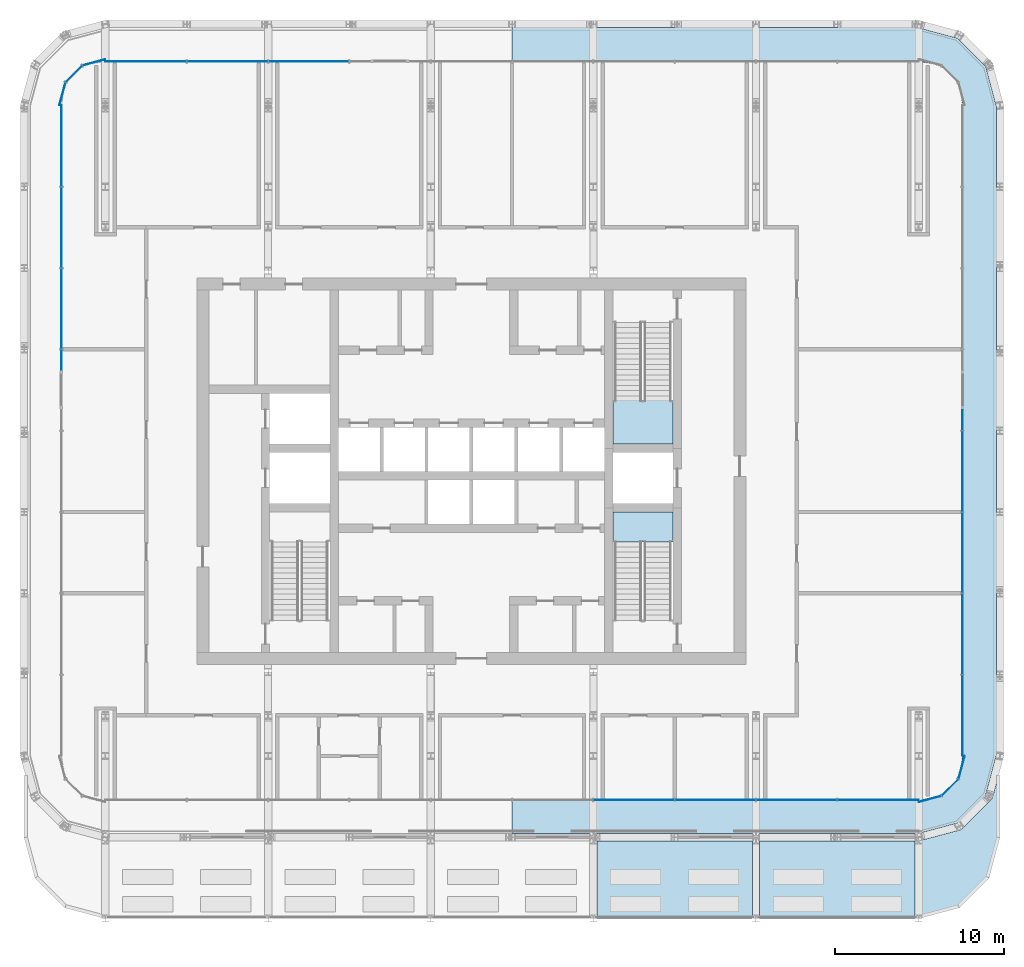
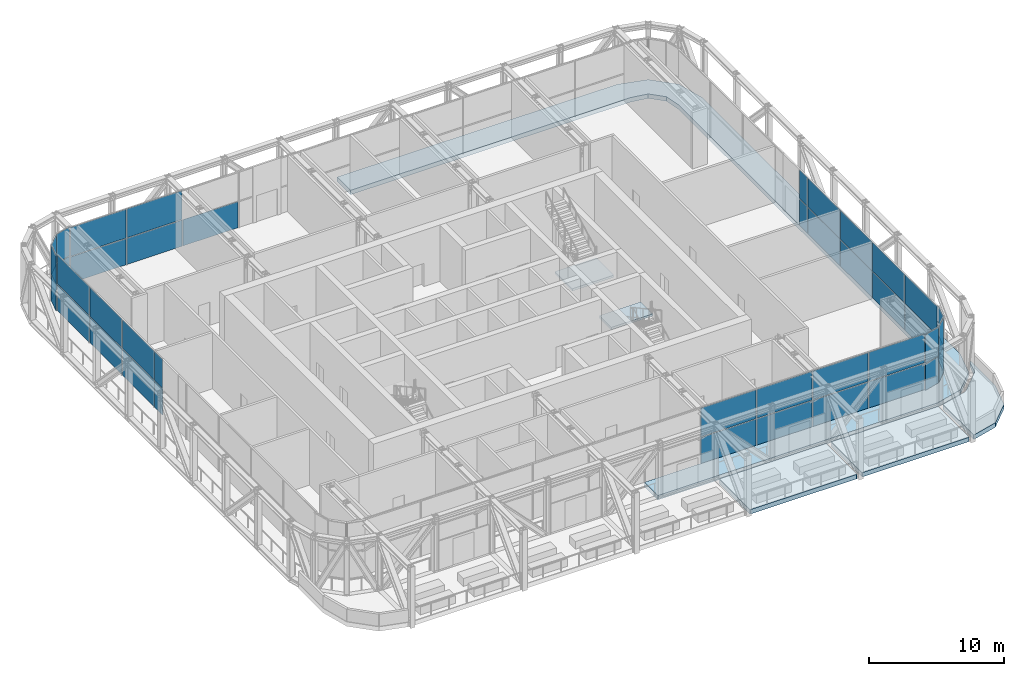
# One storey, part 12 of 22: 43 plates, 6 slabs, 8 elements without a shape of their own.
"""IFC4 building model written with IfcOpenShell, lengths in metres."""

import ifcopenshell
import ifcopenshell.guid

model = None  # the IFC model being written
_history = None  # IfcOwnerHistory: only IFC2X3 demands one
_inside = {}  # id of a spatial element -> (the spatial element, [elements in it])
_under = {}  # id of a project, library or spatial element -> (it, [spatial elements below it])
_declared = {}  # id of a project -> (the project, [libraries it declares])
_typed = {}  # id of a type object -> (the type object, [elements of that type])
_made_of = {}  # id of a material, layer set ... -> (it, [elements and type objects made of it])


def new_model(schema):
    """Start an empty IFC model of exactly this schema.

    Asked for "IFC4X3", IfcOpenShell would pick the latest addendum, in which some entities
    have other attributes; the version numbers below select the first issue.
    IFC2X3 requires an IfcOwnerHistory on every rooted entity: one is made here for all.
    """
    global model, _history
    if schema == "IFC4X3":
        model = ifcopenshell.file(schema_version=(4, 3, 0, 0))
    else:
        model = ifcopenshell.file(schema=schema)
    _inside.clear()
    _under.clear()
    _declared.clear()
    _typed.clear()
    _made_of.clear()
    _history = None
    if model.schema == "IFC2X3":
        org = make("IfcOrganization", Name="unknown")
        user = make(
            "IfcPersonAndOrganization",
            ThePerson=make("IfcPerson", FamilyName="unknown"),
            TheOrganization=org,
        )
        app = make(
            "IfcApplication",
            ApplicationDeveloper=org,
            Version="unknown",
            ApplicationFullName="unknown",
            ApplicationIdentifier="unknown",
        )
        _history = make(
            "IfcOwnerHistory",
            OwningUser=user,
            OwningApplication=app,
            ChangeAction="ADDED",
            CreationDate=0,
        )
    return model


def make(cls, **values):
    """One entity of the class cls with the attributes given. An attribute that is None is left unset."""
    return model.create_entity(
        cls, **{name: value for name, value in values.items() if value is not None}
    )


def rooted(cls, **values):
    """An entity with a GlobalId (a new one), such as an element, a storey or a relation."""
    return make(cls, GlobalId=ifcopenshell.guid.new(), OwnerHistory=_history, **values)


def si_unit(unit_type, name, prefix=None):
    """IfcSIUnit, for example si_unit("LENGTHUNIT", "METRE", prefix="MILLI")."""
    return make("IfcSIUnit", UnitType=unit_type, Prefix=prefix, Name=name)


def assignment(units):
    """IfcUnitAssignment: the units of a project."""
    return None if units is None else make("IfcUnitAssignment", Units=units)


def point(xyz):
    """IfcCartesianPoint."""
    return None if xyz is None else make("IfcCartesianPoint", Coordinates=xyz)


def direction(xyz):
    """IfcDirection."""
    return None if xyz is None else make("IfcDirection", DirectionRatios=xyz)


def frame(location, z_axis=None, x_axis=None):
    """IfcAxis2Placement3D, a coordinate frame: its origin and axes. An axis left out is left unset."""
    return make(
        "IfcAxis2Placement3D",
        Location=point(location),
        Axis=direction(z_axis),
        RefDirection=direction(x_axis),
    )


def frame_2d(location, x_axis=None):
    """IfcAxis2Placement2D, a coordinate frame in the plane: its origin and x axis."""
    return make(
        "IfcAxis2Placement2D", Location=point(location), RefDirection=direction(x_axis)
    )


def origin():
    """The frame at (0, 0, 0) with its axes left unset."""
    return frame((0.0, 0.0, 0.0))


def origin_2d():
    """The frame at (0, 0) in the plane with its x axis left unset."""
    return frame_2d((0.0, 0.0))


def place(relative_to, where):
    """IfcLocalPlacement: puts the frame where relative to a parent placement (None: the world)."""
    return make(
        "IfcLocalPlacement", PlacementRelTo=relative_to, RelativePlacement=where
    )


def context(
    kind, dimensions, precision=None, world=None, true_north=None, identifier=None
):
    """IfcGeometricRepresentationContext, for example the 3D "Model" context."""
    return make(
        "IfcGeometricRepresentationContext",
        ContextIdentifier=identifier,
        ContextType=kind,
        CoordinateSpaceDimension=dimensions,
        Precision=precision,
        WorldCoordinateSystem=world,
        TrueNorth=true_north,
    )


def subcontext(parent, identifier, kind, view, scale=None):
    """IfcGeometricRepresentationSubContext, for example "Body" below "Model"."""
    return make(
        "IfcGeometricRepresentationSubContext",
        ContextIdentifier=identifier,
        ContextType=kind,
        ParentContext=parent,
        TargetScale=scale,
        TargetView=view,
    )


def project(units=None, contexts=None):
    """IfcProject with its units and contexts."""
    return rooted(
        "IfcProject",
        Name="project",
        RepresentationContexts=contexts,
        UnitsInContext=assignment(units),
    )


def spatial(cls, under=None, at=None, **own):
    """A site, building, storey or space (cls), placed at a placement, below another one or the project."""
    s = rooted(cls, ObjectPlacement=at, **own)
    if under is not None:
        _under.setdefault(under.id(), (under, []))[1].append(s)
    return s


def polyline(points):
    """IfcPolyline through the points."""
    return make("IfcPolyline", Points=[point(p) for p in points])


def profile(cls, at=None, kind="AREA", **sizes):
    """A parametric profile (cls). Its sizes go by their IFC names, for example OverallWidth=200.0."""
    return make(cls, ProfileType=kind, Position=at, **sizes)


def rectangle(**sizes):
    """IfcRectangleProfileDef."""
    return profile("IfcRectangleProfileDef", **sizes)


def outline(outer, holes=None, kind="AREA"):
    """IfcArbitraryClosedProfileDef: a profile drawn as a closed curve; with holes, ...WithVoids."""
    if holes is None:
        return make("IfcArbitraryClosedProfileDef", ProfileType=kind, OuterCurve=outer)
    return make(
        "IfcArbitraryProfileDefWithVoids",
        ProfileType=kind,
        OuterCurve=outer,
        InnerCurves=holes,
    )


def extrude(swept, where, along, depth):
    """IfcExtrudedAreaSolid: the profile swept, set in the frame where, extruded along a direction by depth."""
    return make(
        "IfcExtrudedAreaSolid",
        SweptArea=swept,
        Position=where,
        ExtrudedDirection=direction(along),
        Depth=depth,
    )


def shape(context_of_items, identifier, shape_type, items):
    """IfcShapeRepresentation: the items that make up one representation, for example the "Body"."""
    return make(
        "IfcShapeRepresentation",
        ContextOfItems=context_of_items,
        RepresentationIdentifier=identifier,
        RepresentationType=shape_type,
        Items=items,
    )


def material(Name=None, Category=None):
    """IfcMaterial."""
    return make("IfcMaterial", Name=Name, Category=Category)


def layer(
    of_material, thickness, ventilated=None, Name=None, Category=None, Priority=None
):
    """IfcMaterialLayer: one layer of a wall or slab, of a material (None: an air gap)."""
    return make(
        "IfcMaterialLayer",
        Material=of_material,
        LayerThickness=thickness,
        IsVentilated=ventilated,
        Name=Name,
        Category=Category,
        Priority=Priority,
    )


def layer_set(layers, Name=None):
    """IfcMaterialLayerSet."""
    return make("IfcMaterialLayerSet", MaterialLayers=layers, LayerSetName=Name)


def made_of(thing, what):
    """Note that an element or type object is made of a material, layer set ...; save() writes the relation."""
    if what is not None:
        _made_of.setdefault(what.id(), (what, []))[1].append(thing)
    return thing


def type_object(cls, material=None, **own):
    """A type object (cls), such as IfcWallType, which elements share."""
    return made_of(rooted(cls, **own), material)


def element(
    cls,
    number,
    at=None,
    inside=None,
    cuts=None,
    type_object=None,
    material=None,
    context=None,
    identifier="Body",
    shape_type=None,
    held_by="IfcProductDefinitionShape",
    body=None,
    shapes=None,
    **own,
):
    """One element of the class cls, such as IfcWall. Its Tag is "e" and its number.

    at: its placement. inside: the storey or other place that contains it. cuts: it is an
    opening in that element (IfcRelVoidsElement). A single representation is given by context,
    identifier, shape_type and body (its items); several are given by shapes. held_by: the class
    of the entity that holds the representations. save() writes the other relations.
    """
    e = rooted(cls, Tag="e%d" % number, ObjectPlacement=at, **own)
    if body is not None:
        shapes = [shape(context, identifier, shape_type, body)]
    if shapes is not None:
        e.Representation = make(held_by, Representations=shapes)
    if inside is not None:
        _inside.setdefault(inside.id(), (inside, []))[1].append(e)
    if cuts is not None:
        rooted(
            "IfcRelVoidsElement", RelatingBuildingElement=cuts, RelatedOpeningElement=e
        )
    if type_object is not None:
        _typed.setdefault(type_object.id(), (type_object, []))[1].append(e)
    return made_of(e, material)


def aggregate(whole, parts):
    """IfcRelAggregates: a whole, such as a stair, and the parts it consists of."""
    return rooted("IfcRelAggregates", RelatingObject=whole, RelatedObjects=parts)


def save(model, path):
    """Write the relations noted so far, then the file.

    IfcRelAggregates (storeys below a building ...), IfcRelContainedInSpatialStructure (elements
    in a storey), IfcRelDefinesByType, IfcRelAssociatesMaterial and IfcRelDeclares: one each for
    every whole, place, type object, material and project.
    """
    for whole, parts in _under.values():
        aggregate(whole, parts)
    for where, things in _inside.values():
        rooted(
            "IfcRelContainedInSpatialStructure",
            RelatedElements=things,
            RelatingStructure=where,
        )
    for kind, things in _typed.values():
        rooted("IfcRelDefinesByType", RelatedObjects=things, RelatingType=kind)
    for what, things in _made_of.values():
        rooted("IfcRelAssociatesMaterial", RelatedObjects=things, RelatingMaterial=what)
    for by, libraries in _declared.values():
        rooted("IfcRelDeclares", RelatingContext=by, RelatedDefinitions=libraries)
    model.write(path)


model = new_model("IFC4")

# Units and contexts
model_context = context("Model", 3, precision=1e-05, world=origin(), true_north=direction((0.0, 1.0)))
body_context = subcontext(model_context, "Body", "Model", "MODEL_VIEW")
ifc_project = project(units=[si_unit("LENGTHUNIT", "METRE"), si_unit("AREAUNIT", "SQUARE_METRE"), si_unit("VOLUMEUNIT", "CUBIC_METRE"), si_unit("PLANEANGLEUNIT", "RADIAN"), si_unit("MASSUNIT", "GRAM", prefix="KILO")], contexts=[model_context])

# Site, building, storey
site_placement = place(None, origin())
site = spatial("IfcSite", under=ifc_project, at=site_placement, CompositionType="ELEMENT")
building_placement = place(site_placement, origin())
building = spatial("IfcBuilding", under=site, at=building_placement, Name="Madar Terraces", CompositionType="ELEMENT")
storey_placement = place(building_placement, frame((0.0, 0.0, 203.39990234375)))
storey = spatial("IfcBuildingStorey", under=building, at=storey_placement, Name="L53", CompositionType="ELEMENT", Elevation=203.39990234375)

# Curtain wall, plates
ifc_material_1 = material(Name="Glass, ceramic frit dark grey, with black aluminium frame", Category="aluminium")
ifc_layer_1 = layer(ifc_material_1, 0.199951171875)
ifc_layer_set_1 = layer_set([ifc_layer_1], Name="Facade curtain wall, tall glazing")
curtain_wall_type = type_object("IfcCurtainWallType", Name="Facade curtain wall, tall glazing", PredefinedType="NOTDEFINED", material=ifc_layer_set_1)
curtain_wall_1_placement = place(storey_placement, origin())
curtain_wall_1 = element("IfcCurtainWall", 1, at=curtain_wall_1_placement, inside=storey, type_object=curtain_wall_type, Name="Outer skin curtain wall south bay 1", PredefinedType="NOTDEFINED")
ifc_material_2 = material(Name="Glass, ceramic frit dark grey", Category="glass")
ifc_layer_2 = layer(ifc_material_2, 0.028076171875)
ifc_layer_set_2 = layer_set([ifc_layer_2], Name="Facade glass panel 28")
plate_type = type_object("IfcPlateType", Name="Facade glass panel 28", PredefinedType="CURTAIN_PANEL", material=ifc_layer_set_2)
plate_1_placement = place(storey_placement, frame((40.800048828125, 7.0, 0.0), z_axis=(0.0, 0.0, 1.0), x_axis=(1.0, 0.0, 0.0)))
plate_1 = element("IfcPlate", 2, at=plate_1_placement, type_object=plate_type, Name="Panel 13", PredefinedType="CURTAIN_PANEL", context=body_context, shape_type="SweptSolid", body=[
    extrude(rectangle(XDim=4.739990234375, YDim=0.028076171875, at=origin_2d()), origin(), (0.0, 0.0, 1.0), 2.3701171875),
])
plate_2_placement = place(storey_placement, frame((40.800048828125, 7.0, 2.43017578125), z_axis=(0.0, 0.0, 1.0), x_axis=(1.0, 0.0, 0.0)))
plate_2 = element("IfcPlate", 3, at=plate_2_placement, type_object=plate_type, Name="Panel 14", PredefinedType="CURTAIN_PANEL", context=body_context, shape_type="SweptSolid", body=[
    extrude(rectangle(XDim=4.739990234375, YDim=0.028076171875, at=origin_2d()), origin(), (0.0, 0.0, 1.0), 2.610107421875),
])
plate_3_placement = place(storey_placement, frame((45.60009765625, 7.0, 0.0), z_axis=(0.0, 0.0, 1.0), x_axis=(1.0, 0.0, 0.0)))
plate_3 = element("IfcPlate", 4, at=plate_3_placement, type_object=plate_type, Name="Panel 15", PredefinedType="CURTAIN_PANEL", context=body_context, shape_type="SweptSolid", body=[
    extrude(rectangle(XDim=4.739990234375, YDim=0.028076171875, at=origin_2d()), origin(), (0.0, 0.0, 1.0), 2.3701171875),
])
plate_4_placement = place(storey_placement, frame((45.60009765625, 7.0, 2.43017578125), z_axis=(0.0, 0.0, 1.0), x_axis=(1.0, 0.0, 0.0)))
plate_4 = element("IfcPlate", 5, at=plate_4_placement, type_object=plate_type, Name="Panel 16", PredefinedType="CURTAIN_PANEL", context=body_context, shape_type="SweptSolid", body=[
    extrude(rectangle(XDim=4.739990234375, YDim=0.028076171875, at=origin_2d()), origin(), (0.0, 0.0, 1.0), 2.610107421875),
])
plate_5_placement = place(storey_placement, frame((50.39990234375, 7.0, 0.0), z_axis=(0.0, 0.0, 1.0), x_axis=(1.0, 0.0, 0.0)))
plate_5 = element("IfcPlate", 6, at=plate_5_placement, type_object=plate_type, Name="Panel 17", PredefinedType="CURTAIN_PANEL", context=body_context, shape_type="SweptSolid", body=[
    extrude(rectangle(XDim=4.739990234375, YDim=0.028076171875, at=origin_2d()), origin(), (0.0, 0.0, 1.0), 2.3701171875),
])
plate_6_placement = place(storey_placement, frame((50.39990234375, 7.0, 2.43017578125), z_axis=(0.0, 0.0, 1.0), x_axis=(1.0, 0.0, 0.0)))
plate_6 = element("IfcPlate", 7, at=plate_6_placement, type_object=plate_type, Name="Panel 18", PredefinedType="CURTAIN_PANEL", context=body_context, shape_type="SweptSolid", body=[
    extrude(rectangle(XDim=4.739990234375, YDim=0.028076171875, at=origin_2d()), origin(), (0.0, 0.0, 1.0), 2.610107421875),
])
plate_7_placement = place(storey_placement, frame((55.215087890625, 7.0, 0.0), z_axis=(0.0, 0.0, 1.0), x_axis=(1.0, 0.0, 0.0)))
plate_7 = element("IfcPlate", 8, at=plate_7_placement, type_object=plate_type, Name="Panel 19", PredefinedType="CURTAIN_PANEL", context=body_context, shape_type="SweptSolid", body=[
    extrude(rectangle(XDim=4.77001953125, YDim=0.028076171875, at=origin_2d()), origin(), (0.0, 0.0, 1.0), 2.3701171875),
])
plate_8_placement = place(storey_placement, frame((55.215087890625, 7.0, 2.43017578125), z_axis=(0.0, 0.0, 1.0), x_axis=(1.0, 0.0, 0.0)))
plate_8 = element("IfcPlate", 9, at=plate_8_placement, type_object=plate_type, Name="Panel 20", PredefinedType="CURTAIN_PANEL", context=body_context, shape_type="SweptSolid", body=[
    extrude(rectangle(XDim=4.77001953125, YDim=0.028076171875, at=origin_2d()), origin(), (0.0, 0.0, 1.0), 2.610107421875),
])
aggregate(curtain_wall_1, [plate_1, plate_2, plate_3, plate_4, plate_5, plate_6, plate_7, plate_8])

curtain_wall_2_placement = place(storey_placement, origin())
curtain_wall_2 = element("IfcCurtainWall", 10, at=curtain_wall_2_placement, inside=storey, type_object=curtain_wall_type, Name="Outer skin curtain wall east bay 1", PredefinedType="NOTDEFINED")
plate_9_placement = place(storey_placement, frame((60.199951171875, 11.985107421875, 0.0), z_axis=(0.0, 0.0, 1.0), x_axis=(0.0, 1.0, 0.0)))
plate_9 = element("IfcPlate", 11, at=plate_9_placement, type_object=plate_type, Name="Panel 1", PredefinedType="CURTAIN_PANEL", context=body_context, shape_type="SweptSolid", body=[
    extrude(rectangle(XDim=4.77001953125, YDim=0.028076171875, at=origin_2d()), origin(), (0.0, 0.0, 1.0), 2.3701171875),
])
plate_10_placement = place(storey_placement, frame((60.199951171875, 11.985107421875, 2.43017578125), z_axis=(0.0, 0.0, 1.0), x_axis=(0.0, 1.0, 0.0)))
plate_10 = element("IfcPlate", 12, at=plate_10_placement, type_object=plate_type, Name="Panel 2", PredefinedType="CURTAIN_PANEL", context=body_context, shape_type="SweptSolid", body=[
    extrude(rectangle(XDim=4.77001953125, YDim=0.028076171875, at=origin_2d()), origin(), (0.0, 0.0, 1.0), 2.610107421875),
])
plate_11_placement = place(storey_placement, frame((60.199951171875, 16.800048828125, 0.0), z_axis=(0.0, 0.0, 1.0), x_axis=(0.0, 1.0, 0.0)))
plate_11 = element("IfcPlate", 13, at=plate_11_placement, type_object=plate_type, Name="Panel 3", PredefinedType="CURTAIN_PANEL", context=body_context, shape_type="SweptSolid", body=[
    extrude(rectangle(XDim=4.739990234375, YDim=0.028076171875, at=origin_2d()), origin(), (0.0, 0.0, 1.0), 2.3701171875),
])
plate_12_placement = place(storey_placement, frame((60.199951171875, 16.800048828125, 2.43017578125), z_axis=(0.0, 0.0, 1.0), x_axis=(0.0, 1.0, 0.0)))
plate_12 = element("IfcPlate", 14, at=plate_12_placement, type_object=plate_type, Name="Panel 4", PredefinedType="CURTAIN_PANEL", context=body_context, shape_type="SweptSolid", body=[
    extrude(rectangle(XDim=4.739990234375, YDim=0.028076171875, at=origin_2d()), origin(), (0.0, 0.0, 1.0), 2.610107421875),
])
plate_13_placement = place(storey_placement, frame((60.199951171875, 21.60009765625, 0.0), z_axis=(0.0, 0.0, 1.0), x_axis=(0.0, 1.0, 0.0)))
plate_13 = element("IfcPlate", 15, at=plate_13_placement, type_object=plate_type, Name="Panel 5", PredefinedType="CURTAIN_PANEL", context=body_context, shape_type="SweptSolid", body=[
    extrude(rectangle(XDim=4.739990234375, YDim=0.028076171875, at=origin_2d()), origin(), (0.0, 0.0, 1.0), 2.3701171875),
])
plate_14_placement = place(storey_placement, frame((60.199951171875, 21.60009765625, 2.43017578125), z_axis=(0.0, 0.0, 1.0), x_axis=(0.0, 1.0, 0.0)))
plate_14 = element("IfcPlate", 16, at=plate_14_placement, type_object=plate_type, Name="Panel 6", PredefinedType="CURTAIN_PANEL", context=body_context, shape_type="SweptSolid", body=[
    extrude(rectangle(XDim=4.739990234375, YDim=0.028076171875, at=origin_2d()), origin(), (0.0, 0.0, 1.0), 2.610107421875),
])
plate_15_placement = place(storey_placement, frame((60.199951171875, 26.39990234375, 0.0), z_axis=(0.0, 0.0, 1.0), x_axis=(0.0, 1.0, 0.0)))
plate_15 = element("IfcPlate", 17, at=plate_15_placement, type_object=plate_type, Name="Panel 7", PredefinedType="CURTAIN_PANEL", context=body_context, shape_type="SweptSolid", body=[
    extrude(rectangle(XDim=4.739990234375, YDim=0.028076171875, at=origin_2d()), origin(), (0.0, 0.0, 1.0), 2.3701171875),
])
plate_16_placement = place(storey_placement, frame((60.199951171875, 26.39990234375, 2.43017578125), z_axis=(0.0, 0.0, 1.0), x_axis=(0.0, 1.0, 0.0)))
plate_16 = element("IfcPlate", 18, at=plate_16_placement, type_object=plate_type, Name="Panel 8", PredefinedType="CURTAIN_PANEL", context=body_context, shape_type="SweptSolid", body=[
    extrude(rectangle(XDim=4.739990234375, YDim=0.028076171875, at=origin_2d()), origin(), (0.0, 0.0, 1.0), 2.610107421875),
])
plate_17_placement = place(storey_placement, frame((60.199951171875, 29.4150390625, 0.0), z_axis=(0.0, 0.0, 1.0), x_axis=(0.0, 1.0, 0.0)))
plate_17 = element("IfcPlate", 19, at=plate_17_placement, type_object=plate_type, Name="Panel 9", PredefinedType="CURTAIN_PANEL", context=body_context, shape_type="SweptSolid", body=[
    extrude(rectangle(XDim=1.169921875, YDim=0.028076171875, at=origin_2d()), origin(), (0.0, 0.0, 1.0), 2.3701171875),
])
plate_18_placement = place(storey_placement, frame((60.199951171875, 29.4150390625, 2.43017578125), z_axis=(0.0, 0.0, 1.0), x_axis=(0.0, 1.0, 0.0)))
plate_18 = element("IfcPlate", 20, at=plate_18_placement, type_object=plate_type, Name="Panel 10", PredefinedType="CURTAIN_PANEL", context=body_context, shape_type="SweptSolid", body=[
    extrude(rectangle(XDim=1.169921875, YDim=0.028076171875, at=origin_2d()), origin(), (0.0, 0.0, 1.0), 2.610107421875),
])
aggregate(curtain_wall_2, [plate_9, plate_10, plate_11, plate_12, plate_13, plate_14, plate_15, plate_16, plate_17, plate_18])

curtain_wall_3_placement = place(storey_placement, origin())
curtain_wall_3 = element("IfcCurtainWall", 21, at=curtain_wall_3_placement, inside=storey, type_object=curtain_wall_type, Name="Outer skin curtain wall north bay 1", PredefinedType="NOTDEFINED")
plate_19_placement = place(storey_placement, frame((21.60009765625, 50.60009765625, 0.0), z_axis=(0.0, 0.0, 1.0), x_axis=(-1.0, 0.0, 0.0)))
plate_19 = element("IfcPlate", 22, at=plate_19_placement, type_object=plate_type, Name="Panel 17", PredefinedType="CURTAIN_PANEL", context=body_context, shape_type="SweptSolid", body=[
    extrude(rectangle(XDim=4.739990234375, YDim=0.028076171875, at=origin_2d()), origin(), (0.0, 0.0, 1.0), 2.3701171875),
])
plate_20_placement = place(storey_placement, frame((16.800048828125, 50.60009765625, 0.0), z_axis=(0.0, 0.0, 1.0), x_axis=(-1.0, 0.0, 0.0)))
plate_20 = element("IfcPlate", 23, at=plate_20_placement, type_object=plate_type, Name="Panel 19", PredefinedType="CURTAIN_PANEL", context=body_context, shape_type="SweptSolid", body=[
    extrude(rectangle(XDim=4.739990234375, YDim=0.028076171875, at=origin_2d()), origin(), (0.0, 0.0, 1.0), 2.3701171875),
])
plate_21_placement = place(storey_placement, frame((16.800048828125, 50.60009765625, 2.43017578125), z_axis=(0.0, 0.0, 1.0), x_axis=(-1.0, 0.0, 0.0)))
plate_21 = element("IfcPlate", 24, at=plate_21_placement, type_object=plate_type, Name="Panel 20", PredefinedType="CURTAIN_PANEL", context=body_context, shape_type="SweptSolid", body=[
    extrude(rectangle(XDim=4.739990234375, YDim=0.028076171875, at=origin_2d()), origin(), (0.0, 0.0, 1.0), 2.610107421875),
])
plate_22_placement = place(storey_placement, frame((11.985107421875, 50.60009765625, 0.0), z_axis=(0.0, 0.0, 1.0), x_axis=(-1.0, 0.0, 0.0)))
plate_22 = element("IfcPlate", 25, at=plate_22_placement, type_object=plate_type, Name="Panel 21", PredefinedType="CURTAIN_PANEL", context=body_context, shape_type="SweptSolid", body=[
    extrude(rectangle(XDim=4.77001953125, YDim=0.028076171875, at=origin_2d()), origin(), (0.0, 0.0, 1.0), 2.3701171875),
])
plate_23_placement = place(storey_placement, frame((11.985107421875, 50.60009765625, 2.43017578125), z_axis=(0.0, 0.0, 1.0), x_axis=(-1.0, 0.0, 0.0)))
plate_23 = element("IfcPlate", 26, at=plate_23_placement, type_object=plate_type, Name="Panel 22", PredefinedType="CURTAIN_PANEL", context=body_context, shape_type="SweptSolid", body=[
    extrude(rectangle(XDim=4.77001953125, YDim=0.028076171875, at=origin_2d()), origin(), (0.0, 0.0, 1.0), 2.610107421875),
])
aggregate(curtain_wall_3, [plate_19, plate_20, plate_21, plate_22, plate_23])

curtain_wall_4_placement = place(storey_placement, origin())
curtain_wall_4 = element("IfcCurtainWall", 27, at=curtain_wall_4_placement, inside=storey, type_object=curtain_wall_type, Name="Outer skin curtain wall west bay 1", PredefinedType="NOTDEFINED")
plate_24_placement = place(storey_placement, frame((7.0, 45.614990234375, 0.0), z_axis=(0.0, 0.0, 1.0), x_axis=(0.0, -1.0, 0.0)))
plate_24 = element("IfcPlate", 28, at=plate_24_placement, type_object=plate_type, Name="Panel 1", PredefinedType="CURTAIN_PANEL", context=body_context, shape_type="SweptSolid", body=[
    extrude(rectangle(XDim=4.77001953125, YDim=0.028076171875, at=origin_2d()), origin(), (0.0, 0.0, 1.0), 2.3701171875),
])
plate_25_placement = place(storey_placement, frame((7.0, 45.614990234375, 2.43017578125), z_axis=(0.0, 0.0, 1.0), x_axis=(0.0, -1.0, 0.0)))
plate_25 = element("IfcPlate", 29, at=plate_25_placement, type_object=plate_type, Name="Panel 2", PredefinedType="CURTAIN_PANEL", context=body_context, shape_type="SweptSolid", body=[
    extrude(rectangle(XDim=4.77001953125, YDim=0.028076171875, at=origin_2d()), origin(), (0.0, 0.0, 1.0), 2.610107421875),
])
plate_26_placement = place(storey_placement, frame((7.0, 40.800048828125, 0.0), z_axis=(0.0, 0.0, 1.0), x_axis=(0.0, -1.0, 0.0)))
plate_26 = element("IfcPlate", 30, at=plate_26_placement, type_object=plate_type, Name="Panel 3", PredefinedType="CURTAIN_PANEL", context=body_context, shape_type="SweptSolid", body=[
    extrude(rectangle(XDim=4.739990234375, YDim=0.028076171875, at=origin_2d()), origin(), (0.0, 0.0, 1.0), 2.3701171875),
])
plate_27_placement = place(storey_placement, frame((7.0, 40.800048828125, 2.43017578125), z_axis=(0.0, 0.0, 1.0), x_axis=(0.0, -1.0, 0.0)))
plate_27 = element("IfcPlate", 31, at=plate_27_placement, type_object=plate_type, Name="Panel 4", PredefinedType="CURTAIN_PANEL", context=body_context, shape_type="SweptSolid", body=[
    extrude(rectangle(XDim=4.739990234375, YDim=0.028076171875, at=origin_2d()), origin(), (0.0, 0.0, 1.0), 2.610107421875),
])
plate_28_placement = place(storey_placement, frame((7.0, 36.0, 0.0), z_axis=(0.0, 0.0, 1.0), x_axis=(0.0, -1.0, 0.0)))
plate_28 = element("IfcPlate", 32, at=plate_28_placement, type_object=plate_type, Name="Panel 5", PredefinedType="CURTAIN_PANEL", context=body_context, shape_type="SweptSolid", body=[
    extrude(rectangle(XDim=4.739990234375, YDim=0.028076171875, at=origin_2d()), origin(), (0.0, 0.0, 1.0), 2.3701171875),
])
plate_29_placement = place(storey_placement, frame((7.0, 36.0, 2.43017578125), z_axis=(0.0, 0.0, 1.0), x_axis=(0.0, -1.0, 0.0)))
plate_29 = element("IfcPlate", 33, at=plate_29_placement, type_object=plate_type, Name="Panel 6", PredefinedType="CURTAIN_PANEL", context=body_context, shape_type="SweptSolid", body=[
    extrude(rectangle(XDim=4.739990234375, YDim=0.028076171875, at=origin_2d()), origin(), (0.0, 0.0, 1.0), 2.610107421875),
])
plate_30_placement = place(storey_placement, frame((7.0, 32.985107421875, 0.0), z_axis=(0.0, 0.0, 1.0), x_axis=(0.0, -1.0, 0.0)))
plate_30 = element("IfcPlate", 34, at=plate_30_placement, type_object=plate_type, Name="Panel 7", PredefinedType="CURTAIN_PANEL", context=body_context, shape_type="SweptSolid", body=[
    extrude(rectangle(XDim=1.169921875, YDim=0.028076171875, at=origin_2d()), origin(), (0.0, 0.0, 1.0), 2.3701171875),
])
plate_31_placement = place(storey_placement, frame((7.0, 32.985107421875, 2.43017578125), z_axis=(0.0, 0.0, 1.0), x_axis=(0.0, -1.0, 0.0)))
plate_31 = element("IfcPlate", 35, at=plate_31_placement, type_object=plate_type, Name="Panel 8", PredefinedType="CURTAIN_PANEL", context=body_context, shape_type="SweptSolid", body=[
    extrude(rectangle(XDim=1.169921875, YDim=0.028076171875, at=origin_2d()), origin(), (0.0, 0.0, 1.0), 2.610107421875),
])
aggregate(curtain_wall_4, [plate_24, plate_25, plate_26, plate_27, plate_28, plate_29, plate_30, plate_31])

curtain_wall_5_placement = place(storey_placement, origin())
curtain_wall_5 = element("IfcCurtainWall", 36, at=curtain_wall_5_placement, inside=storey, type_object=curtain_wall_type, Name="Outer skin curtain wall south-east corner", PredefinedType="NOTDEFINED")
plate_32_placement = place(storey_placement, frame((58.265625, 7.058349609375, 0.0), z_axis=(0.0, 0.0, 1.0), x_axis=(0.965925808834, 0.258819110244, 0.0)))
plate_32 = element("IfcPlate", 37, at=plate_32_placement, type_object=plate_type, Name="Panel 1", PredefinedType="CURTAIN_PANEL", context=body_context, shape_type="SweptSolid", body=[
    extrude(rectangle(XDim=1.3779296875, YDim=0.028076171875, at=origin_2d()), origin(), (0.0, 0.0, 1.0), 2.3701171875),
])
plate_33_placement = place(storey_placement, frame((58.265625, 7.058349609375, 2.43017578125), z_axis=(0.0, 0.0, 1.0), x_axis=(0.965925808834, 0.258819110244, 0.0)))
plate_33 = element("IfcPlate", 38, at=plate_33_placement, type_object=plate_type, Name="Panel 2", PredefinedType="CURTAIN_PANEL", context=body_context, shape_type="SweptSolid", body=[
    extrude(rectangle(XDim=1.3779296875, YDim=0.028076171875, at=origin_2d()), origin(), (0.0, 0.0, 1.0), 2.610107421875),
])
plate_34_placement = place(storey_placement, frame((59.457763671875, 7.7421875, 0.0), z_axis=(0.0, 0.0, 1.0), x_axis=(0.707106781187, 0.707106781187, 0.0)))
plate_34 = element("IfcPlate", 39, at=plate_34_placement, type_object=plate_type, Name="Panel 3", PredefinedType="CURTAIN_PANEL", context=body_context, shape_type="SweptSolid", body=[
    extrude(rectangle(XDim=1.347900390625, YDim=0.028076171875, at=origin_2d()), origin(), (0.0, 0.0, 1.0), 2.3701171875),
])
plate_35_placement = place(storey_placement, frame((59.457763671875, 7.7421875, 2.43017578125), z_axis=(0.0, 0.0, 1.0), x_axis=(0.707106781187, 0.707106781187, 0.0)))
plate_35 = element("IfcPlate", 40, at=plate_35_placement, type_object=plate_type, Name="Panel 4", PredefinedType="CURTAIN_PANEL", context=body_context, shape_type="SweptSolid", body=[
    extrude(rectangle(XDim=1.347900390625, YDim=0.028076171875, at=origin_2d()), origin(), (0.0, 0.0, 1.0), 2.610107421875),
])
plate_36_placement = place(storey_placement, frame((60.1416015625, 8.9345703125, 0.0), z_axis=(0.0, 0.0, 1.0), x_axis=(0.258819110244, 0.965925808834, 0.0)))
plate_36 = element("IfcPlate", 41, at=plate_36_placement, type_object=plate_type, Name="Panel 5", PredefinedType="CURTAIN_PANEL", context=body_context, shape_type="SweptSolid", body=[
    extrude(rectangle(XDim=1.3779296875, YDim=0.028076171875, at=origin_2d()), origin(), (0.0, 0.0, 1.0), 2.3701171875),
])
plate_37_placement = place(storey_placement, frame((60.1416015625, 8.9345703125, 2.43017578125), z_axis=(0.0, 0.0, 1.0), x_axis=(0.258819110244, 0.965925808834, 0.0)))
plate_37 = element("IfcPlate", 42, at=plate_37_placement, type_object=plate_type, Name="Panel 6", PredefinedType="CURTAIN_PANEL", context=body_context, shape_type="SweptSolid", body=[
    extrude(rectangle(XDim=1.3779296875, YDim=0.028076171875, at=origin_2d()), origin(), (0.0, 0.0, 1.0), 2.610107421875),
])
aggregate(curtain_wall_5, [plate_32, plate_33, plate_34, plate_35, plate_36, plate_37])

curtain_wall_6_placement = place(storey_placement, origin())
curtain_wall_6 = element("IfcCurtainWall", 43, at=curtain_wall_6_placement, inside=storey, type_object=curtain_wall_type, Name="Outer skin curtain wall north-west corner", PredefinedType="NOTDEFINED")
plate_38_placement = place(storey_placement, frame((8.9345703125, 50.541748046875, 0.0), z_axis=(0.0, 0.0, 1.0), x_axis=(-0.965925808834, -0.258819110244, 0.0)))
plate_38 = element("IfcPlate", 44, at=plate_38_placement, type_object=plate_type, Name="Panel 1", PredefinedType="CURTAIN_PANEL", context=body_context, shape_type="SweptSolid", body=[
    extrude(rectangle(XDim=1.3779296875, YDim=0.028076171875, at=origin_2d()), origin(), (0.0, 0.0, 1.0), 2.3701171875),
])
plate_39_placement = place(storey_placement, frame((8.9345703125, 50.541748046875, 2.43017578125), z_axis=(0.0, 0.0, 1.0), x_axis=(-0.965925808834, -0.258819110244, 0.0)))
plate_39 = element("IfcPlate", 45, at=plate_39_placement, type_object=plate_type, Name="Panel 2", PredefinedType="CURTAIN_PANEL", context=body_context, shape_type="SweptSolid", body=[
    extrude(rectangle(XDim=1.3779296875, YDim=0.028076171875, at=origin_2d()), origin(), (0.0, 0.0, 1.0), 2.610107421875),
])
plate_40_placement = place(storey_placement, frame((7.7421875, 49.85791015625, 0.0), z_axis=(0.0, 0.0, 1.0), x_axis=(-0.707106781187, -0.707106781187, 0.0)))
plate_40 = element("IfcPlate", 46, at=plate_40_placement, type_object=plate_type, Name="Panel 3", PredefinedType="CURTAIN_PANEL", context=body_context, shape_type="SweptSolid", body=[
    extrude(rectangle(XDim=1.347900390625, YDim=0.028076171875, at=origin_2d()), origin(), (0.0, 0.0, 1.0), 2.3701171875),
])
plate_41_placement = place(storey_placement, frame((7.7421875, 49.85791015625, 2.43017578125), z_axis=(0.0, 0.0, 1.0), x_axis=(-0.707106781187, -0.707106781187, 0.0)))
plate_41 = element("IfcPlate", 47, at=plate_41_placement, type_object=plate_type, Name="Panel 4", PredefinedType="CURTAIN_PANEL", context=body_context, shape_type="SweptSolid", body=[
    extrude(rectangle(XDim=1.347900390625, YDim=0.028076171875, at=origin_2d()), origin(), (0.0, 0.0, 1.0), 2.610107421875),
])
plate_42_placement = place(storey_placement, frame((7.058349609375, 48.66552734375, 0.0), z_axis=(0.0, 0.0, 1.0), x_axis=(-0.258819110244, -0.965925808834, 0.0)))
plate_42 = element("IfcPlate", 48, at=plate_42_placement, type_object=plate_type, Name="Panel 5", PredefinedType="CURTAIN_PANEL", context=body_context, shape_type="SweptSolid", body=[
    extrude(rectangle(XDim=1.3779296875, YDim=0.028076171875, at=origin_2d()), origin(), (0.0, 0.0, 1.0), 2.3701171875),
])
plate_43_placement = place(storey_placement, frame((7.058349609375, 48.66552734375, 2.43017578125), z_axis=(0.0, 0.0, 1.0), x_axis=(-0.258819110244, -0.965925808834, 0.0)))
plate_43 = element("IfcPlate", 49, at=plate_43_placement, type_object=plate_type, Name="Panel 6", PredefinedType="CURTAIN_PANEL", context=body_context, shape_type="SweptSolid", body=[
    extrude(rectangle(XDim=1.3779296875, YDim=0.028076171875, at=origin_2d()), origin(), (0.0, 0.0, 1.0), 2.610107421875),
])
aggregate(curtain_wall_6, [plate_38, plate_39, plate_40, plate_41, plate_42, plate_43])

# Stair, slab
ifc_material_3 = material(Name="Concrete C50/60", Category="concrete")
stair_type_1 = type_object("IfcStairType", Name="Stair ST2 protected exit", PredefinedType="HALF_TURN_STAIR", material=ifc_material_3)
stair_1_placement = place(storey_placement, origin())
stair_1 = element("IfcStair", 50, at=stair_1_placement, inside=storey, type_object=stair_type_1, Name="L53 Protected Exit Stair ST2", PredefinedType="HALF_TURN_STAIR")
ifc_material_4 = material(Name="Concrete C50/60", Category="concrete")
ifc_layer_3 = layer(ifc_material_4, 0.199951171875)
ifc_layer_set_3 = layer_set([ifc_layer_3], Name="Stair landing 200, top +2.70")
slab_type_1 = type_object("IfcSlabType", Name="Stair landing 200, top +2.70", PredefinedType="LANDING", material=ifc_layer_set_3)
slab_1_placement = place(storey_placement, frame((0.0, 0.0, 2.5)))
slab_1 = element("IfcSlab", 51, at=slab_1_placement, type_object=slab_type_1, Name="ST2 landing 1", PredefinedType="LANDING", context=body_context, shape_type="SweptSolid", body=[
    extrude(outline(polyline([(39.550048828125, 28.0), (43.10009765625, 28.0), (43.10009765625, 30.580078125), (39.550048828125, 30.580078125), (39.550048828125, 28.0)])), origin(), (0.0, 0.0, 1.0), 0.2001953125),
])
aggregate(stair_1, [slab_1])

ifc_material_5 = material(Name="Concrete C50/60", Category="concrete")
stair_type_2 = type_object("IfcStairType", Name="Stair ST3 protected exit", PredefinedType="HALF_TURN_STAIR", material=ifc_material_5)
stair_2_placement = place(storey_placement, origin())
stair_2 = element("IfcStair", 52, at=stair_2_placement, inside=storey, type_object=stair_type_2, Name="L53 Protected Exit Stair ST3", PredefinedType="HALF_TURN_STAIR")
slab_2_placement = place(storey_placement, frame((0.0, 0.0, 2.5)))
slab_2 = element("IfcSlab", 53, at=slab_2_placement, type_object=slab_type_1, Name="ST3 landing 1", PredefinedType="LANDING", context=body_context, shape_type="SweptSolid", body=[
    extrude(outline(polyline([(39.550048828125, 22.219970703125), (43.10009765625, 22.219970703125), (43.10009765625, 24.0), (39.550048828125, 24.0), (39.550048828125, 22.219970703125)])), origin(), (0.0, 0.0, 1.0), 0.2001953125),
])
aggregate(stair_2, [slab_2])

# Slabs
ifc_material_6 = material(Name="Concrete C50/60", Category="concrete")
ifc_layer_4 = layer(ifc_material_6, 0.39990234375)
ifc_layer_set_4 = layer_set([ifc_layer_4], Name="TS1 PT terrace slab 400")
slab_type_2 = type_object("IfcSlabType", Name="TS1 PT terrace slab 400", PredefinedType="FLOOR", material=ifc_layer_set_4)
slab_3_placement = place(storey_placement, frame((0.0, 0.0, -0.39990234375)))
element("IfcSlab", 54, at=slab_3_placement, inside=storey, type_object=slab_type_2, Name="Gallery slab L53 (2)", PredefinedType="FLOOR", context=body_context, shape_type="SweptSolid", body=[
    extrude(outline(polyline([(33.60009765625, 52.589111328125), (33.60009765625, 50.60009765625), (57.60009765625, 50.60009765625), (58.9599609375, 50.35546875), (59.95556640625, 49.360107421875), (60.199951171875, 48.0), (60.199951171875, 9.60009765625), (59.95556640625, 8.239990234375), (58.9599609375, 7.244384765625), (57.60009765625, 7.0), (33.60009765625, 7.0), (33.60009765625, 5.0107421875), (57.572265625, 5.0107421875), (59.890869140625, 5.632080078125), (61.56787109375, 7.30908203125), (62.189208984375, 9.627685546875), (62.189208984375, 47.97216796875), (61.56787109375, 50.290771484375), (59.890869140625, 51.968017578125), (57.572265625, 52.589111328125), (33.60009765625, 52.589111328125)])), origin(), (0.0, 0.0, 1.0), 0.39990234375),
])
slab_4_placement = place(storey_placement, frame((0.0, 0.0, -0.39990234375)))
element("IfcSlab", 55, at=slab_4_placement, inside=storey, type_object=slab_type_2, Name="Terrace roof slab L53 (5)", PredefinedType="FLOOR", context=body_context, shape_type="SweptSolid", body=[
    extrude(outline(polyline([(38.651123046875, 0.0009765625), (38.656005859375, 0.000244140625), (38.660888671875, 0.0), (47.7392578125, 0.0), (47.744140625, 0.000244140625), (47.7490234375, 0.0009765625), (47.753662109375, 0.002197265625), (47.75830078125, 0.00390625), (47.7626953125, 0.005859375), (47.766845703125, 0.008544921875), (47.77099609375, 0.01123046875), (47.7744140625, 0.0146484375), (47.77783203125, 0.018310546875), (47.78076171875, 0.022216796875), (47.783203125, 0.0263671875), (47.785400390625, 0.03076171875), (47.787109375, 0.035400390625), (47.788330078125, 0.040283203125), (47.788818359375, 0.045166015625), (47.7890625, 0.050048828125), (47.7890625, 4.5390625), (47.788818359375, 4.544189453125), (47.788330078125, 4.548828125), (47.787109375, 4.5537109375), (47.785400390625, 4.558349609375), (47.783203125, 4.562744140625), (47.78076171875, 4.56689453125), (47.77783203125, 4.57080078125), (47.7744140625, 4.574462890625), (47.77099609375, 4.577880859375), (47.766845703125, 4.580810546875), (47.7626953125, 4.583251953125), (47.75830078125, 4.58544921875), (47.753662109375, 4.5869140625), (47.7490234375, 4.588134765625), (47.744140625, 4.5888671875), (47.7392578125, 4.589111328125), (38.660888671875, 4.589111328125), (38.656005859375, 4.5888671875), (38.651123046875, 4.588134765625), (38.646240234375, 4.5869140625), (38.6416015625, 4.58544921875), (38.63720703125, 4.583251953125), (38.633056640625, 4.580810546875), (38.629150390625, 4.577880859375), (38.62548828125, 4.574462890625), (38.6220703125, 4.57080078125), (38.619140625, 4.56689453125), (38.61669921875, 4.562744140625), (38.61474609375, 4.558349609375), (38.613037109375, 4.5537109375), (38.61181640625, 4.548828125), (38.611083984375, 4.544189453125), (38.61083984375, 4.5390625), (38.61083984375, 0.050048828125), (38.611083984375, 0.045166015625), (38.61181640625, 0.040283203125), (38.613037109375, 0.035400390625), (38.61474609375, 0.03076171875), (38.61669921875, 0.0263671875), (38.619140625, 0.022216796875), (38.6220703125, 0.018310546875), (38.62548828125, 0.0146484375), (38.629150390625, 0.01123046875), (38.633056640625, 0.008544921875), (38.63720703125, 0.005859375), (38.6416015625, 0.00390625), (38.646240234375, 0.002197265625), (38.651123046875, 0.0009765625)])), origin(), (0.0, 0.0, 1.0), 0.39990234375),
])
slab_5_placement = place(storey_placement, frame((0.0, 0.0, -0.39990234375)))
element("IfcSlab", 56, at=slab_5_placement, inside=storey, type_object=slab_type_2, Name="Terrace roof slab L53 (6)", PredefinedType="FLOOR", context=body_context, shape_type="SweptSolid", body=[
    extrude(outline(polyline([(48.2509765625, 0.0009765625), (48.255859375, 0.000244140625), (48.2607421875, 0.0), (57.339111328125, 0.0), (57.343994140625, 0.000244140625), (57.348876953125, 0.0009765625), (57.353759765625, 0.002197265625), (57.3583984375, 0.00390625), (57.36279296875, 0.005859375), (57.366943359375, 0.008544921875), (57.370849609375, 0.01123046875), (57.37451171875, 0.0146484375), (57.3779296875, 0.018310546875), (57.380859375, 0.022216796875), (57.38330078125, 0.0263671875), (57.38525390625, 0.03076171875), (57.386962890625, 0.035400390625), (57.38818359375, 0.040283203125), (57.388916015625, 0.045166015625), (57.38916015625, 0.050048828125), (57.38916015625, 4.5390625), (57.388916015625, 4.544189453125), (57.38818359375, 4.548828125), (57.386962890625, 4.5537109375), (57.38525390625, 4.558349609375), (57.38330078125, 4.562744140625), (57.380859375, 4.56689453125), (57.3779296875, 4.57080078125), (57.37451171875, 4.574462890625), (57.370849609375, 4.577880859375), (57.366943359375, 4.580810546875), (57.36279296875, 4.583251953125), (57.3583984375, 4.58544921875), (57.353759765625, 4.5869140625), (57.348876953125, 4.588134765625), (57.343994140625, 4.5888671875), (57.339111328125, 4.589111328125), (48.2607421875, 4.589111328125), (48.255859375, 4.5888671875), (48.2509765625, 4.588134765625), (48.246337890625, 4.5869140625), (48.24169921875, 4.58544921875), (48.2373046875, 4.583251953125), (48.233154296875, 4.580810546875), (48.22900390625, 4.577880859375), (48.2255859375, 4.574462890625), (48.22216796875, 4.57080078125), (48.21923828125, 4.56689453125), (48.216796875, 4.562744140625), (48.214599609375, 4.558349609375), (48.212890625, 4.5537109375), (48.211669921875, 4.548828125), (48.211181640625, 4.544189453125), (48.2109375, 4.5390625), (48.2109375, 0.050048828125), (48.211181640625, 0.045166015625), (48.211669921875, 0.040283203125), (48.212890625, 0.035400390625), (48.214599609375, 0.03076171875), (48.216796875, 0.0263671875), (48.21923828125, 0.022216796875), (48.22216796875, 0.018310546875), (48.2255859375, 0.0146484375), (48.22900390625, 0.01123046875), (48.233154296875, 0.008544921875), (48.2373046875, 0.005859375), (48.24169921875, 0.00390625), (48.246337890625, 0.002197265625), (48.2509765625, 0.0009765625)])), origin(), (0.0, 0.0, 1.0), 0.39990234375),
])
slab_6_placement = place(storey_placement, frame((0.0, 0.0, -0.39990234375)))
element("IfcSlab", 57, at=slab_6_placement, inside=storey, type_object=slab_type_2, Name="Terrace roof slab L53 (7)", PredefinedType="FLOOR", context=body_context, shape_type="SweptSolid", body=[
    extrude(outline(polyline([(61.945068359375, 7.08984375), (60.110107421875, 5.2548828125), (60.109130859375, 5.254150390625), (60.10791015625, 5.253662109375), (57.847900390625, 4.648193359375), (57.843017578125, 4.646728515625), (57.83837890625, 4.64453125), (57.833984375, 4.64208984375), (57.830078125, 4.63916015625), (57.826171875, 4.635986328125), (57.82275390625, 4.63232421875), (57.819580078125, 4.628173828125), (57.817138671875, 4.6240234375), (57.81494140625, 4.619384765625), (57.81298828125, 4.61474609375), (57.811767578125, 4.60986328125), (57.81103515625, 4.60498046875), (57.810791015625, 4.599853515625), (57.810791015625, 0.12158203125), (57.81103515625, 0.116943359375), (57.811767578125, 0.112060546875), (57.81298828125, 0.107421875), (57.814453125, 0.102783203125), (57.81640625, 0.098388671875), (57.81884765625, 0.09423828125), (57.82177734375, 0.09033203125), (57.824951171875, 0.086669921875), (57.82861328125, 0.08349609375), (57.832275390625, 0.08056640625), (57.83642578125, 0.078125), (57.8408203125, 0.075927734375), (57.84521484375, 0.07421875), (57.849853515625, 0.07275390625), (57.854736328125, 0.072021484375), (57.859375, 0.07177734375), (57.8642578125, 0.07177734375), (57.869140625, 0.072265625), (57.873779296875, 0.0732421875), (59.987060546875, 0.6396484375), (59.991943359375, 0.64111328125), (59.996826171875, 0.643310546875), (60.00146484375, 0.64599609375), (60.005615234375, 0.649169921875), (60.009521484375, 0.652587890625), (61.74755859375, 2.390625), (61.7509765625, 2.39453125), (61.75390625, 2.398681640625), (61.756591796875, 2.403076171875), (61.7587890625, 2.407958984375), (61.760498046875, 2.412841796875), (62.398193359375, 4.793701171875), (62.399169921875, 4.7978515625), (62.39990234375, 4.80224609375), (62.39990234375, 4.806640625), (62.39990234375, 8.40576171875), (62.399658203125, 8.41064453125), (62.39892578125, 8.41552734375), (62.397705078125, 8.42041015625), (62.39599609375, 8.425048828125), (62.39404296875, 8.429443359375), (62.391357421875, 8.433837890625), (62.388427734375, 8.437744140625), (62.385009765625, 8.44140625), (62.38134765625, 8.444580078125), (62.377197265625, 8.447509765625), (62.373046875, 8.449951171875), (62.368408203125, 8.4521484375), (62.36376953125, 8.45361328125), (62.35888671875, 8.454833984375), (62.35400390625, 8.45556640625), (62.34912109375, 8.45556640625), (62.34423828125, 8.455322265625), (62.33935546875, 8.45458984375), (62.33447265625, 8.453125), (62.329833984375, 8.451416015625), (62.325439453125, 8.44921875), (62.3212890625, 8.446533203125), (62.3173828125, 8.443359375), (62.313720703125, 8.43994140625), (62.310546875, 8.436279296875), (62.3076171875, 8.43212890625), (62.30517578125, 8.427978515625), (62.30322265625, 8.42333984375), (62.3017578125, 8.418701171875), (61.9462890625, 7.092041015625), (61.94580078125, 7.0908203125), (61.945068359375, 7.08984375)])), origin(), (0.0, 0.0, 1.0), 0.39990234375),
])

save(model, "model.ifc")
